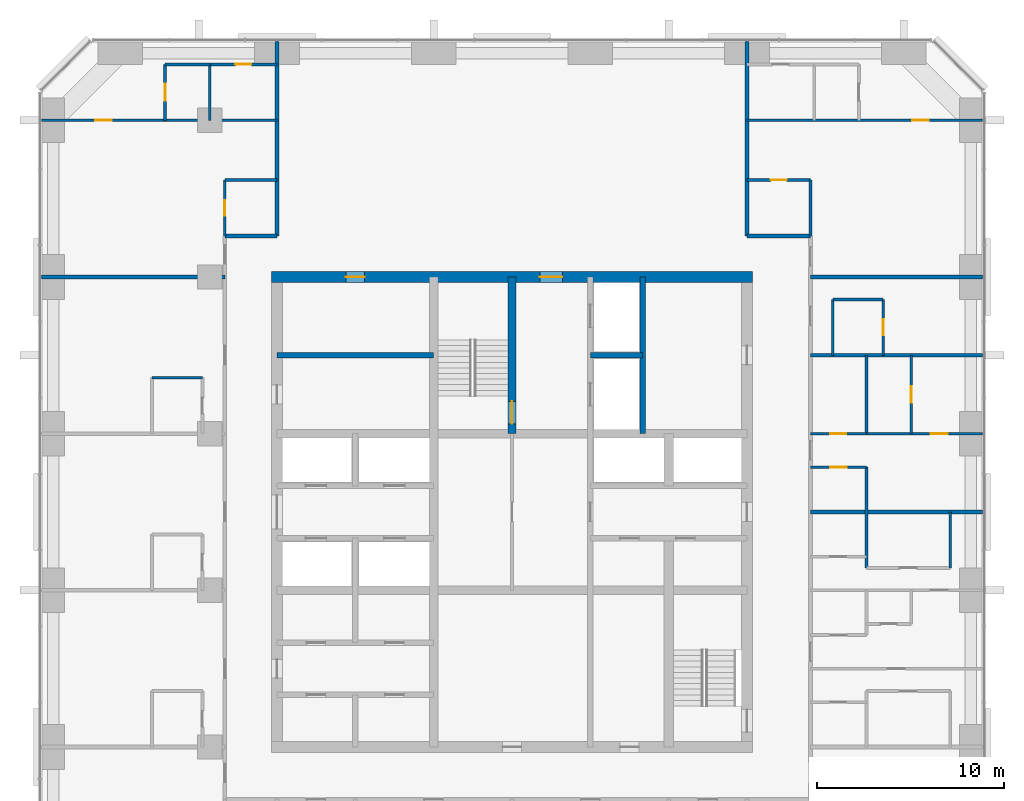
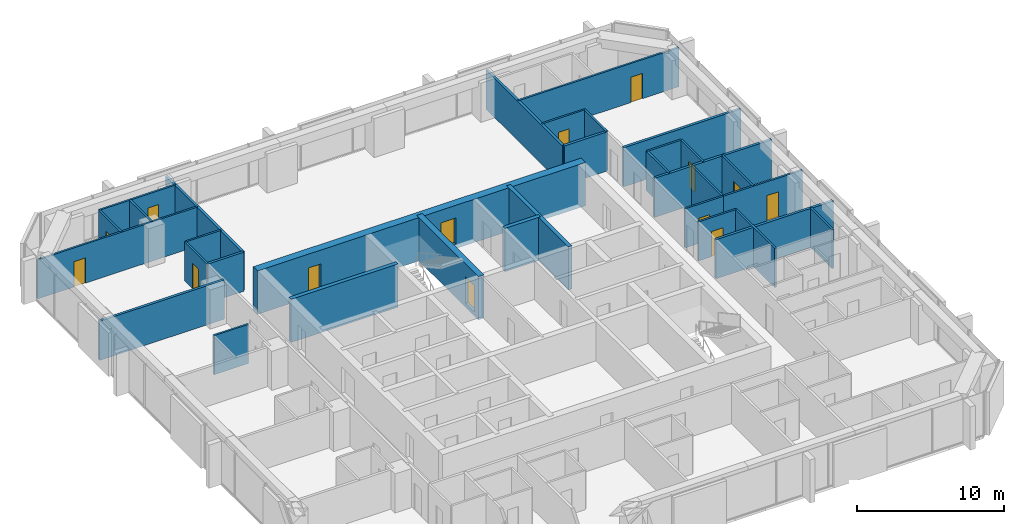
# One storey, part 11 of 13: 34 walls, 14 doors, 14 openings.
"""IFC4 building model written with IfcOpenShell, lengths in metres."""

from ifc_helpers import new_model, si_unit, direction, frame, frame_2d, origin, place, context, subcontext, project, spatial, rectangle, extrude, material, layer, layer_set, type_object, element, fill, save


model = new_model("IFC4")

# Units and contexts
model_context = context("Model", 3, precision=1e-05, world=origin(), true_north=direction((0.0, 1.0)))
body_context = subcontext(model_context, "Body", "Model", "MODEL_VIEW")
ifc_project = project(units=[si_unit("LENGTHUNIT", "METRE"), si_unit("AREAUNIT", "SQUARE_METRE"), si_unit("VOLUMEUNIT", "CUBIC_METRE"), si_unit("PLANEANGLEUNIT", "RADIAN"), si_unit("MASSUNIT", "GRAM", prefix="KILO")], contexts=[model_context])

# Site, building, storey
site_placement = place(None, origin())
site = spatial("IfcSite", under=ifc_project, at=site_placement, CompositionType="ELEMENT")
building_placement = place(site_placement, origin())
building = spatial("IfcBuilding", under=site, at=building_placement, Name="Dunama Terrace Hotel", CompositionType="ELEMENT")
storey_placement = place(building_placement, frame((0.0, 0.0, 187.800048828125)))
storey = spatial("IfcBuildingStorey", under=building, at=storey_placement, Name="L48", CompositionType="ELEMENT", Elevation=187.800048828125)

# Wall, opening, door
ifc_material_1 = material(Name="Gypsum board partition", Category="masonry")
ifc_layer_1 = layer(ifc_material_1, 0.14990234375)
ifc_layer_set_1 = layer_set([ifc_layer_1], Name="Bathroom partition 150")
wall_type_1 = type_object("IfcWallType", Name="Bathroom partition 150", PredefinedType="PARTITIONING", material=ifc_layer_set_1)
wall_1_placement = place(storey_placement, frame((14.0, 44.199951171875, 0.0), z_axis=(0.0, 0.0, 1.0), x_axis=(0.0, 1.0, 0.0)))
wall_1 = element("IfcWall", 1, at=wall_1_placement, inside=storey, type_object=wall_type_1, Name="Bathroom partition 150 L48", PredefinedType="PARTITIONING", context=body_context, shape_type="SweptSolid", body=[
    extrude(rectangle(XDim=3.0, YDim=0.14990234375, at=frame_2d((1.5, 0.0))), origin(), (0.0, 0.0, 1.0), 3.25),
])
opening_1_placement = place(wall_1_placement, frame((1.074951171875, 0.0, 0.0)))
opening_1 = element("IfcOpeningElement", 2, at=opening_1_placement, cuts=wall_1, Name="Opening L48-50-055", PredefinedType="OPENING", context=body_context, shape_type="SweptSolid", body=[
    extrude(rectangle(XDim=0.85009765625, YDim=2.10009765625, at=frame_2d((0.425048828125, 1.050048828125))), frame((0.0, 0.0849609375, 0.0), z_axis=(0.0, -1.0, 0.0), x_axis=(1.0, 0.0, 0.0)), (0.0, 0.0, 1.0), 0.169921875),
])
ifc_material_2 = material(Name="Timber door with steel frame", Category="steel")
door_type_1 = type_object("IfcDoorType", Name="Bathroom door 850", OperationType="SINGLE_SWING_LEFT", PredefinedType="DOOR", material=ifc_material_2)
door_1_placement = place(opening_1_placement, frame((0.85009765625, 0.0, 0.0), z_axis=(0.0, 0.0, 1.0), x_axis=(-1.0, 0.0, 0.0)))
door_1 = element("IfcDoor", 3, at=door_1_placement, inside=storey, type_object=door_type_1, Name="Door to powder room L48-50-055, type D2", OperationType="SINGLE_SWING_RIGHT", OverallHeight=2.10009765625, OverallWidth=0.85009765625, PredefinedType="DOOR", context=body_context, shape_type="SweptSolid", body=[
    extrude(rectangle(XDim=0.85009765625, YDim=2.10009765625, at=frame_2d((0.425048828125, 1.050048828125))), frame((0.0, 0.025146484375, 0.0), z_axis=(0.0, -1.0, 0.0), x_axis=(1.0, 0.0, 0.0)), (0.0, 0.0, 1.0), 0.050048828125),
])
fill(opening_1, door_1)

# Walls
for number, where, z_axis, x_axis, name in (
    (4, (45.39990234375, 44.199951171875, 0.0), (0.0, 0.0, 1.0), (0.0, 1.0, 0.0), "Bathroom partition 150 L48"),
    (5, (46.60009765625, 37.800048828125, 0.0), (0.0, 0.0, 1.0), (0.0, 1.0, 0.0), "Bathroom partition 150 L48"),
):
    element("IfcWall", number, at=place(storey_placement, frame(where, z_axis=z_axis, x_axis=x_axis)), inside=storey, type_object=wall_type_1, Name=name, PredefinedType="PARTITIONING", context=body_context, shape_type="SweptSolid", body=[
        extrude(rectangle(XDim=3.0, YDim=0.14990234375, at=frame_2d((1.5, 0.0))), origin(), (0.0, 0.0, 1.0), 3.25),
    ])

# Wall, opening, door
wall_2_placement = place(storey_placement, frame((49.300048828125, 37.800048828125, 0.0), z_axis=(0.0, 0.0, 1.0), x_axis=(0.0, 1.0, 0.0)))
wall_2 = element("IfcWall", 6, at=wall_2_placement, inside=storey, type_object=wall_type_1, Name="Bathroom partition 150 L48", PredefinedType="PARTITIONING", context=body_context, shape_type="SweptSolid", body=[
    extrude(rectangle(XDim=3.0, YDim=0.14990234375, at=frame_2d((1.5, 0.0))), origin(), (0.0, 0.0, 1.0), 3.25),
])
opening_2_placement = place(wall_2_placement, frame((1.074951171875, 0.0, 0.0)))
opening_2 = element("IfcOpeningElement", 7, at=opening_2_placement, cuts=wall_2, Name="Opening L48-50-032", PredefinedType="OPENING", context=body_context, shape_type="SweptSolid", body=[
    extrude(rectangle(XDim=0.85009765625, YDim=2.10009765625, at=frame_2d((0.425048828125, 1.050048828125))), frame((0.0, 0.0849609375, 0.0), z_axis=(0.0, -1.0, 0.0), x_axis=(1.0, 0.0, 0.0)), (0.0, 0.0, 1.0), 0.169921875),
])
door_2_placement = place(opening_2_placement, origin())
door_2 = element("IfcDoor", 8, at=door_2_placement, inside=storey, type_object=door_type_1, Name="Door to en-suite bathroom L48-50-032, type D2", OperationType="SINGLE_SWING_LEFT", OverallHeight=2.10009765625, OverallWidth=0.85009765625, PredefinedType="DOOR", context=body_context, shape_type="SweptSolid", body=[
    extrude(rectangle(XDim=0.85009765625, YDim=2.10009765625, at=frame_2d((0.425048828125, 1.050048828125))), frame((0.0, 0.02490234375, 0.0), z_axis=(0.0, -1.0, 0.0), x_axis=(1.0, 0.0, 0.0)), (0.0, 0.0, 1.0), 0.050048828125),
])
fill(opening_2, door_2)

wall_3_placement = place(storey_placement, frame((45.39990234375, 33.60009765625, 0.0), z_axis=(0.0, 0.0, 1.0), x_axis=(1.0, 0.0, 0.0)))
wall_3 = element("IfcWall", 9, at=wall_3_placement, inside=storey, type_object=wall_type_1, Name="Bathroom partition 150 L48", PredefinedType="PARTITIONING", context=body_context, shape_type="SweptSolid", body=[
    extrude(rectangle(XDim=3.0, YDim=0.14990234375, at=frame_2d((1.5, 0.0))), origin(), (0.0, 0.0, 1.0), 3.25),
])
opening_3_placement = place(wall_3_placement, frame((1.074951171875, 0.0, 0.0)))
opening_3 = element("IfcOpeningElement", 10, at=opening_3_placement, cuts=wall_3, Name="Opening L48-50-028", PredefinedType="OPENING", context=body_context, shape_type="SweptSolid", body=[
    extrude(rectangle(XDim=0.85009765625, YDim=2.10009765625, at=frame_2d((0.425048828125, 1.050048828125))), frame((0.0, 0.0849609375, 0.0), z_axis=(0.0, -1.0, 0.0), x_axis=(1.0, 0.0, 0.0)), (0.0, 0.0, 1.0), 0.169921875),
])
door_3_placement = place(opening_3_placement, origin())
door_3 = element("IfcDoor", 11, at=door_3_placement, inside=storey, type_object=door_type_1, Name="Door to diplomatic residence bathroom L48-50-028, type D2", OperationType="SINGLE_SWING_LEFT", OverallHeight=2.10009765625, OverallWidth=0.85009765625, PredefinedType="DOOR", context=body_context, shape_type="SweptSolid", body=[
    extrude(rectangle(XDim=0.85009765625, YDim=2.10009765625, at=frame_2d((0.425048828125, 1.050048828125))), frame((0.0, 0.02490234375, 0.0), z_axis=(0.0, -1.0, 0.0), x_axis=(1.0, 0.0, 0.0)), (0.0, 0.0, 1.0), 0.050048828125),
])
fill(opening_3, door_3)

# Walls
for number, where, z_axis, x_axis, name in (
    (12, (10.10009765625, 36.60009765625, 0.0), (0.0, 0.0, 1.0), (1.0, 0.0, 0.0), "Bathroom partition 150 L48"),
    (13, (46.60009765625, 40.800048828125, 0.0), (0.0, 0.0, 1.0), (1.0, 0.0, 0.0), "Bathroom partition 150 L48"),
):
    element("IfcWall", number, at=place(storey_placement, frame(where, z_axis=z_axis, x_axis=x_axis)), inside=storey, type_object=wall_type_1, Name=name, PredefinedType="PARTITIONING", context=body_context, shape_type="SweptSolid", body=[
        extrude(rectangle(XDim=2.699951171875, YDim=0.14990234375, at=frame_2d((1.35009765625, 0.0))), origin(), (0.0, 0.0, 1.0), 3.25),
    ])
wall_4_placement = place(storey_placement, frame((14.0, 47.199951171875, 0.0), z_axis=(0.0, 0.0, 1.0), x_axis=(1.0, 0.0, 0.0)))
element("IfcWall", 14, at=wall_4_placement, inside=storey, type_object=wall_type_1, Name="Bathroom partition 150 L48", PredefinedType="PARTITIONING", context=body_context, shape_type="SweptSolid", body=[
    extrude(rectangle(XDim=2.800048828125, YDim=0.14990234375, at=frame_2d((1.39990234375, 0.0))), origin(), (0.0, 0.0, 1.0), 3.25),
])

# Wall, opening, door
wall_5_placement = place(storey_placement, frame((42.0, 47.199951171875, 0.0), z_axis=(0.0, 0.0, 1.0), x_axis=(1.0, 0.0, 0.0)))
wall_5 = element("IfcWall", 15, at=wall_5_placement, inside=storey, type_object=wall_type_1, Name="Bathroom partition 150 L48", PredefinedType="PARTITIONING", context=body_context, shape_type="SweptSolid", body=[
    extrude(rectangle(XDim=3.39990234375, YDim=0.14990234375, at=frame_2d((1.699951171875, 0.0))), origin(), (0.0, 0.0, 1.0), 3.25),
])
opening_4_placement = place(wall_5_placement, frame((1.27490234375, 0.0, 0.0)))
opening_4 = element("IfcOpeningElement", 16, at=opening_4_placement, cuts=wall_5, Name="Opening L48-50-050", PredefinedType="OPENING", context=body_context, shape_type="SweptSolid", body=[
    extrude(rectangle(XDim=0.85009765625, YDim=2.10009765625, at=frame_2d((0.425048828125, 1.050048828125))), frame((0.0, 0.0849609375, 0.0), z_axis=(0.0, -1.0, 0.0), x_axis=(1.0, 0.0, 0.0)), (0.0, 0.0, 1.0), 0.169921875),
])
door_4_placement = place(opening_4_placement, frame((0.85009765625, 0.0, 0.0), z_axis=(0.0, 0.0, 1.0), x_axis=(-1.0, 0.0, 0.0)))
door_4 = element("IfcDoor", 17, at=door_4_placement, inside=storey, type_object=door_type_1, Name="Door to powder room L48-50-050, type D2", OperationType="SINGLE_SWING_RIGHT", OverallHeight=2.10009765625, OverallWidth=0.85009765625, PredefinedType="DOOR", context=body_context, shape_type="SweptSolid", body=[
    extrude(rectangle(XDim=0.85009765625, YDim=2.10009765625, at=frame_2d((0.425048828125, 1.050048828125))), frame((0.0, 0.025146484375, 0.0), z_axis=(0.0, -1.0, 0.0), x_axis=(1.0, 0.0, 0.0)), (0.0, 0.0, 1.0), 0.050048828125),
])
fill(opening_4, door_4)

wall_6_placement = place(storey_placement, frame((13.199951171875, 53.39990234375, 0.0), z_axis=(0.0, 0.0, 1.0), x_axis=(1.0, 0.0, 0.0)))
wall_6 = element("IfcWall", 18, at=wall_6_placement, inside=storey, type_object=wall_type_1, Name="Bathroom partition 150 L48", PredefinedType="PARTITIONING", context=body_context, shape_type="SweptSolid", body=[
    extrude(rectangle(XDim=3.60009765625, YDim=0.14990234375, at=frame_2d((1.800048828125, 0.0))), origin(), (0.0, 0.0, 1.0), 3.25),
])
opening_5_placement = place(wall_6_placement, frame((1.375, 0.0, 0.0)))
opening_5 = element("IfcOpeningElement", 19, at=opening_5_placement, cuts=wall_6, Name="Opening L48-50-057", PredefinedType="OPENING", context=body_context, shape_type="SweptSolid", body=[
    extrude(rectangle(XDim=0.85009765625, YDim=2.10009765625, at=frame_2d((0.425048828125, 1.050048828125))), frame((0.0, 0.0849609375, 0.0), z_axis=(0.0, -1.0, 0.0), x_axis=(1.0, 0.0, 0.0)), (0.0, 0.0, 1.0), 0.169921875),
])
door_5_placement = place(opening_5_placement, frame((0.85009765625, 0.0, 0.0), z_axis=(0.0, 0.0, 1.0), x_axis=(-1.0, 0.0, 0.0)))
door_5 = element("IfcDoor", 20, at=door_5_placement, inside=storey, type_object=door_type_1, Name="Door to en-suite bathroom L48-50-057, type D2", OperationType="SINGLE_SWING_LEFT", OverallHeight=2.10009765625, OverallWidth=0.85009765625, PredefinedType="DOOR", context=body_context, shape_type="SweptSolid", body=[
    extrude(rectangle(XDim=0.85009765625, YDim=2.10009765625, at=frame_2d((0.425048828125, 1.050048828125))), frame((0.0, 0.025146484375, 0.0), z_axis=(0.0, -1.0, 0.0), x_axis=(1.0, 0.0, 0.0)), (0.0, 0.0, 1.0), 0.050048828125),
])
fill(opening_5, door_5)

# Walls
ifc_material_3 = material(Name="Concrete C50/60", Category="concrete")
ifc_layer_2 = layer(ifc_material_3, 0.300048828125)
ifc_layer_set_2 = layer_set([ifc_layer_2], Name="Core inner wall 300")
wall_type_2 = type_object("IfcWallType", Name="Core inner wall 300", PredefinedType="SHEAR", material=ifc_layer_set_2)
for number, where, z_axis, x_axis, name in (
    (21, (36.39990234375, 33.60009765625, -0.35009765625), (0.0, 0.0, 1.0), (0.0, 1.0, 0.0), "Core inner wall 300 L48"),
    (22, (16.800048828125, 37.800048828125, -0.35009765625), (0.0, 0.0, 1.0), (1.0, 0.0, 0.0), "Core inner wall 300 L48"),
):
    element("IfcWall", number, at=place(storey_placement, frame(where, z_axis=z_axis, x_axis=x_axis)), inside=storey, type_object=wall_type_2, Name=name, PredefinedType="SHEAR", context=body_context, shape_type="SweptSolid", body=[
        extrude(rectangle(XDim=8.39990234375, YDim=0.300048828125, at=frame_2d((4.199951171875, 0.0))), origin(), (0.0, 0.0, 1.0), 3.60009765625),
    ])
wall_7_placement = place(storey_placement, frame((33.60009765625, 37.800048828125, -0.35009765625), z_axis=(0.0, 0.0, 1.0), x_axis=(1.0, 0.0, 0.0)))
element("IfcWall", 23, at=wall_7_placement, inside=storey, type_object=wall_type_2, Name="Core inner wall 300 L48", PredefinedType="SHEAR", context=body_context, shape_type="SweptSolid", body=[
    extrude(rectangle(XDim=2.7998046875, YDim=0.300048828125, at=frame_2d((1.39990234375, 0.0))), origin(), (0.0, 0.0, 1.0), 3.60009765625),
])

# Wall, opening, door
ifc_material_4 = material(Name="Concrete C50/60", Category="concrete")
ifc_layer_3 = layer(ifc_material_4, 0.449951171875)
ifc_layer_set_3 = layer_set([ifc_layer_3], Name="Core inner wall 450")
wall_type_3 = type_object("IfcWallType", Name="Core inner wall 450", PredefinedType="SHEAR", material=ifc_layer_set_3)
wall_8_placement = place(storey_placement, frame((29.39990234375, 33.60009765625, -0.35009765625), z_axis=(0.0, 0.0, 1.0), x_axis=(0.0, 1.0, 0.0)))
wall_8 = element("IfcWall", 24, at=wall_8_placement, inside=storey, type_object=wall_type_3, Name="Core inner wall 450 L48", PredefinedType="SHEAR", context=body_context, shape_type="SweptSolid", body=[
    extrude(rectangle(XDim=8.39990234375, YDim=0.449951171875, at=frame_2d((4.199951171875, 0.0))), origin(), (0.0, 0.0, 1.0), 3.60009765625),
])
opening_6_placement = place(wall_8_placement, frame((0.52490234375, 0.0, 0.35009765625)))
opening_6 = element("IfcOpeningElement", 25, at=opening_6_placement, cuts=wall_8, Name="Opening L48-50-001", PredefinedType="OPENING", context=body_context, shape_type="SweptSolid", body=[
    extrude(rectangle(XDim=1.199951171875, YDim=2.199951171875, at=frame_2d((0.60009765625, 1.10009765625))), frame((0.0, 0.23486328125, 0.0), z_axis=(0.0, -1.0, 0.0), x_axis=(1.0, 0.0, 0.0)), (0.0, 0.0, 1.0), 0.469970703125),
])
ifc_material_5 = material(Name="Timber door with steel frame", Category="steel")
door_type_2 = type_object("IfcDoorType", Name="Stair door 1200", OperationType="SINGLE_SWING_LEFT", PredefinedType="DOOR", material=ifc_material_5)
door_6_placement = place(opening_6_placement, origin())
door_6 = element("IfcDoor", 26, at=door_6_placement, inside=storey, type_object=door_type_2, Name="Stair door ST1 L48-50-001, type D5", OperationType="SINGLE_SWING_LEFT", OverallHeight=2.199951171875, OverallWidth=1.199951171875, PredefinedType="DOOR", context=body_context, shape_type="SweptSolid", body=[
    extrude(rectangle(XDim=1.199951171875, YDim=2.199951171875, at=frame_2d((0.60009765625, 1.10009765625))), frame((0.0, 0.02490234375, 0.0), z_axis=(0.0, -1.0, 0.0), x_axis=(1.0, 0.0, 0.0)), (0.0, 0.0, 1.0), 0.050048828125),
])
fill(opening_6, door_6)

# Wall, openings, doors
ifc_material_6 = material(Name="Concrete C50/60", Category="concrete")
ifc_layer_4 = layer(ifc_material_6, 0.60009765625)
ifc_layer_set_4 = layer_set([ifc_layer_4], Name="Core wall 600")
wall_type_4 = type_object("IfcWallType", Name="Core wall 600", PredefinedType="SHEAR", material=ifc_layer_set_4)
wall_9_placement = place(storey_placement, frame((42.300048828125, 42.0, -0.35009765625), z_axis=(0.0, 0.0, 1.0), x_axis=(-1.0, 0.0, 0.0)))
wall_9 = element("IfcWall", 27, at=wall_9_placement, inside=storey, type_object=wall_type_4, Name="Core wall north L48", PredefinedType="SHEAR", context=body_context, shape_type="SweptSolid", body=[
    extrude(rectangle(XDim=25.800048828125, YDim=0.60009765625, at=frame_2d((12.89990234375, 0.0))), origin(), (0.0, 0.0, 1.0), 3.60009765625),
])
opening_7_placement = place(wall_9_placement, frame((20.800048828125, 0.0, 0.35009765625)))
opening_7 = element("IfcOpeningElement", 28, at=opening_7_placement, cuts=wall_9, Name="Opening L48-50-066", PredefinedType="OPENING", context=body_context, shape_type="SweptSolid", body=[
    extrude(rectangle(XDim=1.0, YDim=2.10009765625, at=frame_2d((0.5, 1.050048828125))), frame((0.0, 0.31005859375, 0.0), z_axis=(0.0, -1.0, 0.0), x_axis=(1.0, 0.0, 0.0)), (0.0, 0.0, 1.0), 0.6201171875),
])
opening_8_placement = place(wall_9_placement, frame((10.199951171875, 0.0, 0.35009765625)))
opening_8 = element("IfcOpeningElement", 29, at=opening_8_placement, cuts=wall_9, Name="Opening L48-50-072", PredefinedType="OPENING", context=body_context, shape_type="SweptSolid", body=[
    extrude(rectangle(XDim=1.199951171875, YDim=2.199951171875, at=frame_2d((0.60009765625, 1.10009765625))), frame((0.0, 0.31005859375, 0.0), z_axis=(0.0, -1.0, 0.0), x_axis=(1.0, 0.0, 0.0)), (0.0, 0.0, 1.0), 0.6201171875),
])
ifc_material_7 = material(Name="Timber door with steel frame", Category="steel")
door_type_3 = type_object("IfcDoorType", Name="Firefighting lobby door 1200", OperationType="SINGLE_SWING_LEFT", PredefinedType="DOOR", material=ifc_material_7)
door_7_placement = place(opening_8_placement, origin())
door_7 = element("IfcDoor", 30, at=door_7_placement, inside=storey, type_object=door_type_3, Name="Door to firefighting lobby L48-50-072, type D4", OperationType="SINGLE_SWING_RIGHT", OverallHeight=2.199951171875, OverallWidth=1.199951171875, PredefinedType="DOOR", context=body_context, shape_type="SweptSolid", body=[
    extrude(rectangle(XDim=1.199951171875, YDim=2.199951171875, at=frame_2d((0.60009765625, 1.10009765625))), frame((0.0, 0.02490234375, 0.0), z_axis=(0.0, -1.0, 0.0), x_axis=(1.0, 0.0, 0.0)), (0.0, 0.0, 1.0), 0.050048828125),
])
fill(opening_8, door_7)
ifc_material_8 = material(Name="Timber door with steel frame", Category="steel")
door_type_4 = type_object("IfcDoorType", Name="Service door 1000", OperationType="SINGLE_SWING_LEFT", PredefinedType="DOOR", material=ifc_material_8)
door_8_placement = place(opening_7_placement, origin())
door_8 = element("IfcDoor", 31, at=door_8_placement, inside=storey, type_object=door_type_4, Name="Door to communications and riser room L48-50-066, type D7", OperationType="SINGLE_SWING_LEFT", OverallHeight=2.10009765625, OverallWidth=1.0, PredefinedType="DOOR", context=body_context, shape_type="SweptSolid", body=[
    extrude(rectangle(XDim=1.0, YDim=2.10009765625, at=frame_2d((0.5, 1.050048828125))), frame((0.0, 0.02490234375, 0.0), z_axis=(0.0, -1.0, 0.0), x_axis=(1.0, 0.0, 0.0)), (0.0, 0.0, 1.0), 0.050048828125),
])
fill(opening_7, door_8)

# Walls
ifc_material_9 = material(Name="Concrete blockwork", Category="masonry")
ifc_layer_5 = layer(ifc_material_9, 0.199951171875)
ifc_layer_set_5 = layer_set([ifc_layer_5], Name="Corridor partition 200")
wall_type_5 = type_object("IfcWallType", Name="Corridor partition 200", PredefinedType="PARTITIONING", material=ifc_layer_set_5)
wall_10_placement = place(storey_placement, frame((16.800048828125, 44.199951171875, 0.0), z_axis=(0.0, 0.0, 1.0), x_axis=(0.0, 1.0, 0.0)))
element("IfcWall", 32, at=wall_10_placement, inside=storey, type_object=wall_type_5, Name="Corridor partition 200 L48", PredefinedType="PARTITIONING", context=body_context, shape_type="SweptSolid", body=[
    extrude(rectangle(XDim=10.41796875, YDim=0.199951171875, at=frame_2d((5.208984375, 0.0))), origin(), (0.0, 0.0, 1.0), 3.25),
])
wall_11_placement = place(storey_placement, frame((14.0, 44.199951171875, 0.0), z_axis=(0.0, 0.0, 1.0), x_axis=(1.0, 0.0, 0.0)))
element("IfcWall", 33, at=wall_11_placement, inside=storey, type_object=wall_type_5, Name="Corridor partition 200 L48", PredefinedType="PARTITIONING", context=body_context, shape_type="SweptSolid", body=[
    extrude(rectangle(XDim=2.800048828125, YDim=0.199951171875, at=frame_2d((1.39990234375, 0.0))), origin(), (0.0, 0.0, 1.0), 3.25),
])
wall_12_placement = place(storey_placement, frame((42.0, 44.199951171875, 0.0), z_axis=(0.0, 0.0, 1.0), x_axis=(1.0, 0.0, 0.0)))
element("IfcWall", 34, at=wall_12_placement, inside=storey, type_object=wall_type_5, Name="Corridor partition 200 L48", PredefinedType="PARTITIONING", context=body_context, shape_type="SweptSolid", body=[
    extrude(rectangle(XDim=3.39990234375, YDim=0.199951171875, at=frame_2d((1.699951171875, 0.0))), origin(), (0.0, 0.0, 1.0), 3.25),
])
wall_13_placement = place(storey_placement, frame((42.0, 54.617919921875, 0.0), z_axis=(0.0, 0.0, 1.0), x_axis=(0.0, -1.0, 0.0)))
element("IfcWall", 35, at=wall_13_placement, inside=storey, type_object=wall_type_5, Name="Corridor partition 200 L48", PredefinedType="PARTITIONING", context=body_context, shape_type="SweptSolid", body=[
    extrude(rectangle(XDim=10.41796875, YDim=0.199951171875, at=frame_2d((5.208984375, 0.0))), origin(), (0.0, 0.0, 1.0), 3.25),
])
ifc_material_10 = material(Name="Concrete blockwork", Category="masonry")
ifc_layer_6 = layer(ifc_material_10, 0.199951171875)
ifc_layer_set_6 = layer_set([ifc_layer_6], Name="Party wall 200")
wall_type_6 = type_object("IfcWallType", Name="Party wall 200", PredefinedType="PARTITIONING", material=ifc_layer_set_6)
for number, where, z_axis, x_axis, name in (
    (36, (45.39990234375, 29.39990234375, 0.0), (0.0, 0.0, 1.0), (1.0, 0.0, 0.0), "Party wall 200 L48"),
    (37, (45.39990234375, 37.800048828125, 0.0), (0.0, 0.0, 1.0), (1.0, 0.0, 0.0), "Party wall 200 L48"),
):
    element("IfcWall", number, at=place(storey_placement, frame(where, z_axis=z_axis, x_axis=x_axis)), inside=storey, type_object=wall_type_6, Name=name, PredefinedType="PARTITIONING", context=body_context, shape_type="SweptSolid", body=[
        extrude(rectangle(XDim=9.218017578125, YDim=0.199951171875, at=frame_2d((4.60888671875, 0.0))), origin(), (0.0, 0.0, 1.0), 3.25),
    ])
wall_14_placement = place(storey_placement, frame((4.181884765625, 42.0, 0.0), z_axis=(0.0, 0.0, 1.0), x_axis=(1.0, 0.0, 0.0)))
element("IfcWall", 38, at=wall_14_placement, inside=storey, type_object=wall_type_6, Name="Party wall 200 L48", PredefinedType="PARTITIONING", context=body_context, shape_type="SweptSolid", body=[
    extrude(rectangle(XDim=9.818115234375, YDim=0.199951171875, at=frame_2d((4.9091796875, 0.0))), origin(), (0.0, 0.0, 1.0), 3.25),
])
wall_15_placement = place(storey_placement, frame((45.39990234375, 42.0, 0.0), z_axis=(0.0, 0.0, 1.0), x_axis=(1.0, 0.0, 0.0)))
element("IfcWall", 39, at=wall_15_placement, inside=storey, type_object=wall_type_6, Name="Party wall 200 L48", PredefinedType="PARTITIONING", context=body_context, shape_type="SweptSolid", body=[
    extrude(rectangle(XDim=9.218017578125, YDim=0.199951171875, at=frame_2d((4.60888671875, 0.0))), origin(), (0.0, 0.0, 1.0), 3.25),
])

# Wall, opening, door
ifc_material_11 = material(Name="Gypsum board partition", Category="masonry")
ifc_layer_7 = layer(ifc_material_11, 0.14990234375)
ifc_layer_set_7 = layer_set([ifc_layer_7], Name="Room partition 150")
wall_type_7 = type_object("IfcWallType", Name="Room partition 150", PredefinedType="PARTITIONING", material=ifc_layer_set_7)
wall_16_placement = place(storey_placement, frame((10.800048828125, 50.39990234375, 0.0), z_axis=(0.0, 0.0, 1.0), x_axis=(0.0, 1.0, 0.0)))
wall_16 = element("IfcWall", 40, at=wall_16_placement, inside=storey, type_object=wall_type_7, Name="Room partition 150 L48", PredefinedType="PARTITIONING", context=body_context, shape_type="SweptSolid", body=[
    extrude(rectangle(XDim=3.0, YDim=0.14990234375, at=frame_2d((1.5, 0.0))), origin(), (0.0, 0.0, 1.0), 3.25),
])
opening_9_placement = place(wall_16_placement, frame((1.050048828125, 0.0, 0.0)))
opening_9 = element("IfcOpeningElement", 41, at=opening_9_placement, cuts=wall_16, Name="Opening L48-50-058", PredefinedType="OPENING", context=body_context, shape_type="SweptSolid", body=[
    extrude(rectangle(XDim=0.89990234375, YDim=2.10009765625, at=frame_2d((0.449951171875, 1.050048828125))), frame((0.0, 0.0849609375, 0.0), z_axis=(0.0, -1.0, 0.0), x_axis=(1.0, 0.0, 0.0)), (0.0, 0.0, 1.0), 0.169921875),
])
ifc_material_12 = material(Name="Timber door with steel frame", Category="steel")
door_type_5 = type_object("IfcDoorType", Name="Suite internal door 900", OperationType="SINGLE_SWING_LEFT", PredefinedType="DOOR", material=ifc_material_12)
door_9_placement = place(opening_9_placement, frame((0.89990234375, 0.0, 0.0), z_axis=(0.0, 0.0, 1.0), x_axis=(-1.0, 0.0, 0.0)))
door_9 = element("IfcDoor", 42, at=door_9_placement, inside=storey, type_object=door_type_5, Name="Door to dressing room L48-50-058, type D16", OperationType="SINGLE_SWING_RIGHT", OverallHeight=2.10009765625, OverallWidth=0.89990234375, PredefinedType="DOOR", context=body_context, shape_type="SweptSolid", body=[
    extrude(rectangle(XDim=0.89990234375, YDim=2.10009765625, at=frame_2d((0.449951171875, 1.050048828125))), frame((0.0, 0.025146484375, 0.0), z_axis=(0.0, -1.0, 0.0), x_axis=(1.0, 0.0, 0.0)), (0.0, 0.0, 1.0), 0.050048828125),
])
fill(opening_9, door_9)

# Walls
wall_17_placement = place(storey_placement, frame((13.199951171875, 50.39990234375, 0.0), z_axis=(0.0, 0.0, 1.0), x_axis=(0.0, 1.0, 0.0)))
element("IfcWall", 43, at=wall_17_placement, inside=storey, type_object=wall_type_7, Name="Room partition 150 L48", PredefinedType="PARTITIONING", context=body_context, shape_type="SweptSolid", body=[
    extrude(rectangle(XDim=3.0, YDim=0.14990234375, at=frame_2d((1.5, 0.0))), origin(), (0.0, 0.0, 1.0), 3.25),
])
wall_18_placement = place(storey_placement, frame((48.39990234375, 26.39990234375, 0.0), z_axis=(0.0, 0.0, 1.0), x_axis=(0.0, 1.0, 0.0)))
element("IfcWall", 44, at=wall_18_placement, inside=storey, type_object=wall_type_7, Name="Room partition 150 L48", PredefinedType="PARTITIONING", context=body_context, shape_type="SweptSolid", body=[
    extrude(rectangle(XDim=5.400146484375, YDim=0.14990234375, at=frame_2d((2.7001953125, 0.0))), origin(), (0.0, 0.0, 1.0), 3.25),
])
wall_19_placement = place(storey_placement, frame((48.39990234375, 33.60009765625, 0.0), z_axis=(0.0, 0.0, 1.0), x_axis=(0.0, 1.0, 0.0)))
element("IfcWall", 45, at=wall_19_placement, inside=storey, type_object=wall_type_7, Name="Room partition 150 L48", PredefinedType="PARTITIONING", context=body_context, shape_type="SweptSolid", body=[
    extrude(rectangle(XDim=4.199951171875, YDim=0.14990234375, at=frame_2d((2.10009765625, 0.0))), origin(), (0.0, 0.0, 1.0), 3.25),
])

# Wall, opening, door
wall_20_placement = place(storey_placement, frame((50.800048828125, 33.60009765625, 0.0), z_axis=(0.0, 0.0, 1.0), x_axis=(0.0, 1.0, 0.0)))
wall_20 = element("IfcWall", 46, at=wall_20_placement, inside=storey, type_object=wall_type_7, Name="Room partition 150 L48", PredefinedType="PARTITIONING", context=body_context, shape_type="SweptSolid", body=[
    extrude(rectangle(XDim=4.199951171875, YDim=0.14990234375, at=frame_2d((2.10009765625, 0.0))), origin(), (0.0, 0.0, 1.0), 3.25),
])
opening_10_placement = place(wall_20_placement, frame((1.64990234375, 0.0, 0.0)))
opening_10 = element("IfcOpeningElement", 47, at=opening_10_placement, cuts=wall_20, Name="Opening L48-50-029", PredefinedType="OPENING", context=body_context, shape_type="SweptSolid", body=[
    extrude(rectangle(XDim=0.89990234375, YDim=2.10009765625, at=frame_2d((0.449951171875, 1.050048828125))), frame((0.0, 0.0849609375, 0.0), z_axis=(0.0, -1.0, 0.0), x_axis=(1.0, 0.0, 0.0)), (0.0, 0.0, 1.0), 0.169921875),
])
door_10_placement = place(opening_10_placement, origin())
door_10 = element("IfcDoor", 48, at=door_10_placement, inside=storey, type_object=door_type_5, Name="Door to walk-in wardrobe L48-50-029, type D16", OperationType="SINGLE_SWING_LEFT", OverallHeight=2.10009765625, OverallWidth=0.89990234375, PredefinedType="DOOR", context=body_context, shape_type="SweptSolid", body=[
    extrude(rectangle(XDim=0.89990234375, YDim=2.10009765625, at=frame_2d((0.449951171875, 1.050048828125))), frame((0.0, 0.02490234375, 0.0), z_axis=(0.0, -1.0, 0.0), x_axis=(1.0, 0.0, 0.0)), (0.0, 0.0, 1.0), 0.050048828125),
])
fill(opening_10, door_10)

# Wall
wall_21_placement = place(storey_placement, frame((52.89990234375, 26.39990234375, 0.0), z_axis=(0.0, 0.0, 1.0), x_axis=(0.0, 1.0, 0.0)))
element("IfcWall", 49, at=wall_21_placement, inside=storey, type_object=wall_type_7, Name="Room partition 150 L48", PredefinedType="PARTITIONING", context=body_context, shape_type="SweptSolid", body=[
    extrude(rectangle(XDim=3.0, YDim=0.14990234375, at=frame_2d((1.5, 0.0))), origin(), (0.0, 0.0, 1.0), 3.25),
])

# Wall, opening, door
wall_22_placement = place(storey_placement, frame((45.39990234375, 31.800048828125, 0.0), z_axis=(0.0, 0.0, 1.0), x_axis=(1.0, 0.0, 0.0)))
wall_22 = element("IfcWall", 50, at=wall_22_placement, inside=storey, type_object=wall_type_7, Name="Room partition 150 L48", PredefinedType="PARTITIONING", context=body_context, shape_type="SweptSolid", body=[
    extrude(rectangle(XDim=3.0, YDim=0.14990234375, at=frame_2d((1.5, 0.0))), origin(), (0.0, 0.0, 1.0), 3.25),
])
opening_11_placement = place(wall_22_placement, frame((1.050048828125, 0.0, 0.0)))
opening_11 = element("IfcOpeningElement", 51, at=opening_11_placement, cuts=wall_22, Name="Opening L48-50-027", PredefinedType="OPENING", context=body_context, shape_type="SweptSolid", body=[
    extrude(rectangle(XDim=0.89990234375, YDim=2.10009765625, at=frame_2d((0.449951171875, 1.050048828125))), frame((0.0, 0.0849609375, 0.0), z_axis=(0.0, -1.0, 0.0), x_axis=(1.0, 0.0, 0.0)), (0.0, 0.0, 1.0), 0.169921875),
])
door_11_placement = place(opening_11_placement, frame((0.89990234375, 0.0, 0.0), z_axis=(0.0, 0.0, 1.0), x_axis=(-1.0, 0.0, 0.0)))
door_11 = element("IfcDoor", 52, at=door_11_placement, inside=storey, type_object=door_type_5, Name="Door to diplomatic residence kitchen L48-50-027, type D16", OperationType="SINGLE_SWING_RIGHT", OverallHeight=2.10009765625, OverallWidth=0.89990234375, PredefinedType="DOOR", context=body_context, shape_type="SweptSolid", body=[
    extrude(rectangle(XDim=0.89990234375, YDim=2.10009765625, at=frame_2d((0.449951171875, 1.050048828125))), frame((0.0, 0.025146484375, 0.0), z_axis=(0.0, -1.0, 0.0), x_axis=(1.0, 0.0, 0.0)), (0.0, 0.0, 1.0), 0.050048828125),
])
fill(opening_11, door_11)

wall_23_placement = place(storey_placement, frame((48.39990234375, 33.60009765625, 0.0), z_axis=(0.0, 0.0, 1.0), x_axis=(1.0, 0.0, 0.0)))
wall_23 = element("IfcWall", 53, at=wall_23_placement, inside=storey, type_object=wall_type_7, Name="Room partition 150 L48", PredefinedType="PARTITIONING", context=body_context, shape_type="SweptSolid", body=[
    extrude(rectangle(XDim=6.218017578125, YDim=0.14990234375, at=frame_2d((3.10888671875, 0.0))), origin(), (0.0, 0.0, 1.0), 3.25),
])
opening_12_placement = place(wall_23_placement, frame((3.449951171875, 0.0, 0.0)))
opening_12 = element("IfcOpeningElement", 54, at=opening_12_placement, cuts=wall_23, Name="Opening L48-50-030", PredefinedType="OPENING", context=body_context, shape_type="SweptSolid", body=[
    extrude(rectangle(XDim=0.89990234375, YDim=2.10009765625, at=frame_2d((0.449951171875, 1.050048828125))), frame((0.0, 0.0849609375, 0.0), z_axis=(0.0, -1.0, 0.0), x_axis=(1.0, 0.0, 0.0)), (0.0, 0.0, 1.0), 0.169921875),
])
door_12_placement = place(opening_12_placement, origin())
door_12 = element("IfcDoor", 55, at=door_12_placement, inside=storey, type_object=door_type_5, Name="Door to diplomatic residence bedroom L48-50-030, type D16", OperationType="SINGLE_SWING_RIGHT", OverallHeight=2.10009765625, OverallWidth=0.89990234375, PredefinedType="DOOR", context=body_context, shape_type="SweptSolid", body=[
    extrude(rectangle(XDim=0.89990234375, YDim=2.10009765625, at=frame_2d((0.449951171875, 1.050048828125))), frame((0.0, 0.02490234375, 0.0), z_axis=(0.0, -1.0, 0.0), x_axis=(1.0, 0.0, 0.0)), (0.0, 0.0, 1.0), 0.050048828125),
])
fill(opening_12, door_12)

wall_24_placement = place(storey_placement, frame((4.181884765625, 50.39990234375, 0.0), z_axis=(0.0, 0.0, 1.0), x_axis=(1.0, 0.0, 0.0)))
wall_24 = element("IfcWall", 56, at=wall_24_placement, inside=storey, type_object=wall_type_7, Name="Room partition 150 L48", PredefinedType="PARTITIONING", context=body_context, shape_type="SweptSolid", body=[
    extrude(rectangle(XDim=12.6181640625, YDim=0.14990234375, at=frame_2d((6.30908203125, 0.0))), origin(), (0.0, 0.0, 1.0), 3.25),
])
opening_13_placement = place(wall_24_placement, frame((2.867919921875, 0.0, 0.0)))
opening_13 = element("IfcOpeningElement", 57, at=opening_13_placement, cuts=wall_24, Name="Opening L48-50-056", PredefinedType="OPENING", context=body_context, shape_type="SweptSolid", body=[
    extrude(rectangle(XDim=0.89990234375, YDim=2.10009765625, at=frame_2d((0.449951171875, 1.050048828125))), frame((0.0, 0.0849609375, 0.0), z_axis=(0.0, -1.0, 0.0), x_axis=(1.0, 0.0, 0.0)), (0.0, 0.0, 1.0), 0.169921875),
])
door_13_placement = place(opening_13_placement, origin())
door_13 = element("IfcDoor", 58, at=door_13_placement, inside=storey, type_object=door_type_5, Name="Door to corner suite bedroom L48-50-056, type D16", OperationType="SINGLE_SWING_LEFT", OverallHeight=2.10009765625, OverallWidth=0.89990234375, PredefinedType="DOOR", context=body_context, shape_type="SweptSolid", body=[
    extrude(rectangle(XDim=0.89990234375, YDim=2.10009765625, at=frame_2d((0.449951171875, 1.050048828125))), frame((0.0, 0.02490234375, 0.0), z_axis=(0.0, -1.0, 0.0), x_axis=(1.0, 0.0, 0.0)), (0.0, 0.0, 1.0), 0.050048828125),
])
fill(opening_13, door_13)

wall_25_placement = place(storey_placement, frame((42.0, 50.39990234375, 0.0), z_axis=(0.0, 0.0, 1.0), x_axis=(1.0, 0.0, 0.0)))
wall_25 = element("IfcWall", 59, at=wall_25_placement, inside=storey, type_object=wall_type_7, Name="Room partition 150 L48", PredefinedType="PARTITIONING", context=body_context, shape_type="SweptSolid", body=[
    extrude(rectangle(XDim=12.617919921875, YDim=0.14990234375, at=frame_2d((6.30908203125, 0.0))), origin(), (0.0, 0.0, 1.0), 3.25),
])
opening_14_placement = place(wall_25_placement, frame((8.85009765625, 0.0, 0.0)))
opening_14 = element("IfcOpeningElement", 60, at=opening_14_placement, cuts=wall_25, Name="Opening L48-50-051", PredefinedType="OPENING", context=body_context, shape_type="SweptSolid", body=[
    extrude(rectangle(XDim=0.89990234375, YDim=2.10009765625, at=frame_2d((0.449951171875, 1.050048828125))), frame((0.0, 0.0849609375, 0.0), z_axis=(0.0, -1.0, 0.0), x_axis=(1.0, 0.0, 0.0)), (0.0, 0.0, 1.0), 0.169921875),
])
door_14_placement = place(opening_14_placement, origin())
door_14 = element("IfcDoor", 61, at=door_14_placement, inside=storey, type_object=door_type_5, Name="Door to corner suite bedroom L48-50-051, type D16", OperationType="SINGLE_SWING_RIGHT", OverallHeight=2.10009765625, OverallWidth=0.89990234375, PredefinedType="DOOR", context=body_context, shape_type="SweptSolid", body=[
    extrude(rectangle(XDim=0.89990234375, YDim=2.10009765625, at=frame_2d((0.449951171875, 1.050048828125))), frame((0.0, 0.02490234375, 0.0), z_axis=(0.0, -1.0, 0.0), x_axis=(1.0, 0.0, 0.0)), (0.0, 0.0, 1.0), 0.050048828125),
])
fill(opening_14, door_14)

# Wall
wall_26_placement = place(storey_placement, frame((10.800048828125, 53.39990234375, 0.0), z_axis=(0.0, 0.0, 1.0), x_axis=(1.0, 0.0, 0.0)))
element("IfcWall", 62, at=wall_26_placement, inside=storey, type_object=wall_type_7, Name="Room partition 150 L48", PredefinedType="PARTITIONING", context=body_context, shape_type="SweptSolid", body=[
    extrude(rectangle(XDim=2.39990234375, YDim=0.14990234375, at=frame_2d((1.199951171875, 0.0))), origin(), (0.0, 0.0, 1.0), 3.25),
])

save(model, "model.ifc")
